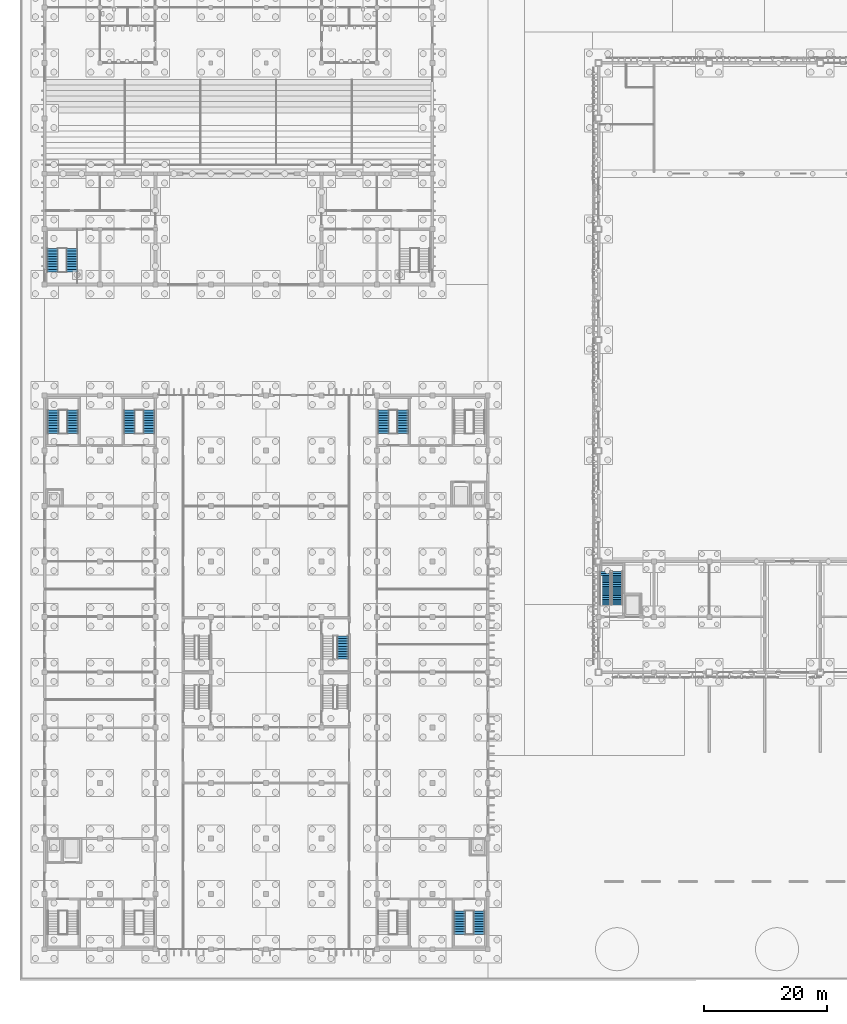
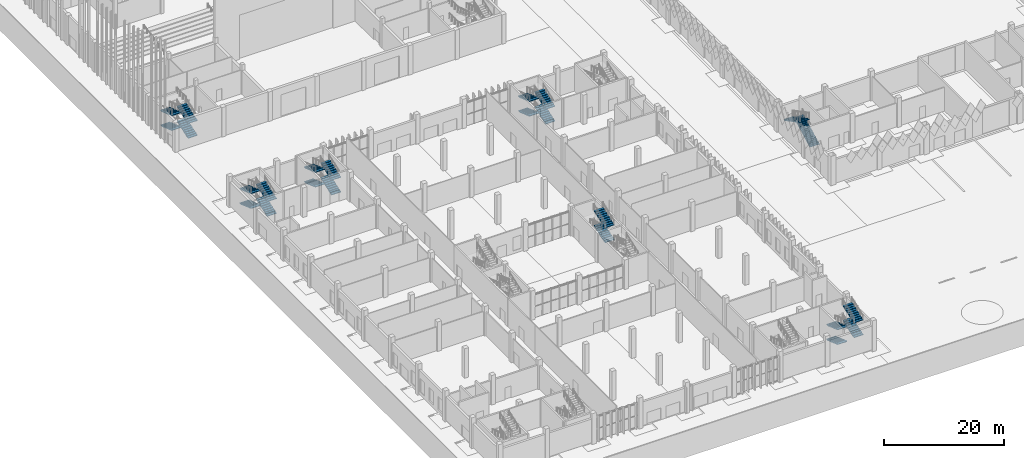
# One storey, part 109 of 198: 24 stair flights, 7 elements without a shape of their own.
"""IFC4 building model written with IfcOpenShell, lengths in metres."""

import ifcopenshell
import ifcopenshell.guid

model = None  # the IFC model being written
_history = None  # IfcOwnerHistory: only IFC2X3 demands one
_inside = {}  # id of a spatial element -> (the spatial element, [elements in it])
_under = {}  # id of a project, library or spatial element -> (it, [spatial elements below it])
_declared = {}  # id of a project -> (the project, [libraries it declares])
_typed = {}  # id of a type object -> (the type object, [elements of that type])
_made_of = {}  # id of a material, layer set ... -> (it, [elements and type objects made of it])


def new_model(schema):
    """Start an empty IFC model of exactly this schema.

    Asked for "IFC4X3", IfcOpenShell would pick the latest addendum, in which some entities
    have other attributes; the version numbers below select the first issue.
    IFC2X3 requires an IfcOwnerHistory on every rooted entity: one is made here for all.
    """
    global model, _history
    if schema == "IFC4X3":
        model = ifcopenshell.file(schema_version=(4, 3, 0, 0))
    else:
        model = ifcopenshell.file(schema=schema)
    _inside.clear()
    _under.clear()
    _declared.clear()
    _typed.clear()
    _made_of.clear()
    _history = None
    if model.schema == "IFC2X3":
        org = make("IfcOrganization", Name="unknown")
        user = make(
            "IfcPersonAndOrganization",
            ThePerson=make("IfcPerson", FamilyName="unknown"),
            TheOrganization=org,
        )
        app = make(
            "IfcApplication",
            ApplicationDeveloper=org,
            Version="unknown",
            ApplicationFullName="unknown",
            ApplicationIdentifier="unknown",
        )
        _history = make(
            "IfcOwnerHistory",
            OwningUser=user,
            OwningApplication=app,
            ChangeAction="ADDED",
            CreationDate=0,
        )
    return model


def make(cls, **values):
    """One entity of the class cls with the attributes given. An attribute that is None is left unset."""
    return model.create_entity(
        cls, **{name: value for name, value in values.items() if value is not None}
    )


def rooted(cls, **values):
    """An entity with a GlobalId (a new one), such as an element, a storey or a relation."""
    return make(cls, GlobalId=ifcopenshell.guid.new(), OwnerHistory=_history, **values)


def si_unit(unit_type, name, prefix=None):
    """IfcSIUnit, for example si_unit("LENGTHUNIT", "METRE", prefix="MILLI")."""
    return make("IfcSIUnit", UnitType=unit_type, Prefix=prefix, Name=name)


def assignment(units):
    """IfcUnitAssignment: the units of a project."""
    return None if units is None else make("IfcUnitAssignment", Units=units)


def point(xyz):
    """IfcCartesianPoint."""
    return None if xyz is None else make("IfcCartesianPoint", Coordinates=xyz)


def direction(xyz):
    """IfcDirection."""
    return None if xyz is None else make("IfcDirection", DirectionRatios=xyz)


def frame(location, z_axis=None, x_axis=None):
    """IfcAxis2Placement3D, a coordinate frame: its origin and axes. An axis left out is left unset."""
    return make(
        "IfcAxis2Placement3D",
        Location=point(location),
        Axis=direction(z_axis),
        RefDirection=direction(x_axis),
    )


def origin():
    """The frame at (0, 0, 0) with its axes left unset."""
    return frame((0.0, 0.0, 0.0))


def place(relative_to, where):
    """IfcLocalPlacement: puts the frame where relative to a parent placement (None: the world)."""
    return make(
        "IfcLocalPlacement", PlacementRelTo=relative_to, RelativePlacement=where
    )


def context(
    kind, dimensions, precision=None, world=None, true_north=None, identifier=None
):
    """IfcGeometricRepresentationContext, for example the 3D "Model" context."""
    return make(
        "IfcGeometricRepresentationContext",
        ContextIdentifier=identifier,
        ContextType=kind,
        CoordinateSpaceDimension=dimensions,
        Precision=precision,
        WorldCoordinateSystem=world,
        TrueNorth=true_north,
    )


def subcontext(parent, identifier, kind, view, scale=None):
    """IfcGeometricRepresentationSubContext, for example "Body" below "Model"."""
    return make(
        "IfcGeometricRepresentationSubContext",
        ContextIdentifier=identifier,
        ContextType=kind,
        ParentContext=parent,
        TargetScale=scale,
        TargetView=view,
    )


def project(units=None, contexts=None):
    """IfcProject with its units and contexts."""
    return rooted(
        "IfcProject",
        Name="project",
        RepresentationContexts=contexts,
        UnitsInContext=assignment(units),
    )


def spatial(cls, under=None, at=None, **own):
    """A site, building, storey or space (cls), placed at a placement, below another one or the project."""
    s = rooted(cls, ObjectPlacement=at, **own)
    if under is not None:
        _under.setdefault(under.id(), (under, []))[1].append(s)
    return s


def polyline(points):
    """IfcPolyline through the points."""
    return make("IfcPolyline", Points=[point(p) for p in points])


def outline(outer, holes=None, kind="AREA"):
    """IfcArbitraryClosedProfileDef: a profile drawn as a closed curve; with holes, ...WithVoids."""
    if holes is None:
        return make("IfcArbitraryClosedProfileDef", ProfileType=kind, OuterCurve=outer)
    return make(
        "IfcArbitraryProfileDefWithVoids",
        ProfileType=kind,
        OuterCurve=outer,
        InnerCurves=holes,
    )


def extrude(swept, where, along, depth):
    """IfcExtrudedAreaSolid: the profile swept, set in the frame where, extruded along a direction by depth."""
    return make(
        "IfcExtrudedAreaSolid",
        SweptArea=swept,
        Position=where,
        ExtrudedDirection=direction(along),
        Depth=depth,
    )


def shape(context_of_items, identifier, shape_type, items):
    """IfcShapeRepresentation: the items that make up one representation, for example the "Body"."""
    return make(
        "IfcShapeRepresentation",
        ContextOfItems=context_of_items,
        RepresentationIdentifier=identifier,
        RepresentationType=shape_type,
        Items=items,
    )


def material(Name=None, Category=None):
    """IfcMaterial."""
    return make("IfcMaterial", Name=Name, Category=Category)


def made_of(thing, what):
    """Note that an element or type object is made of a material, layer set ...; save() writes the relation."""
    if what is not None:
        _made_of.setdefault(what.id(), (what, []))[1].append(thing)
    return thing


def type_object(cls, material=None, **own):
    """A type object (cls), such as IfcWallType, which elements share."""
    return made_of(rooted(cls, **own), material)


def element(
    cls,
    number,
    at=None,
    inside=None,
    cuts=None,
    type_object=None,
    material=None,
    context=None,
    identifier="Body",
    shape_type=None,
    held_by="IfcProductDefinitionShape",
    body=None,
    shapes=None,
    **own,
):
    """One element of the class cls, such as IfcWall. Its Tag is "e" and its number.

    at: its placement. inside: the storey or other place that contains it. cuts: it is an
    opening in that element (IfcRelVoidsElement). A single representation is given by context,
    identifier, shape_type and body (its items); several are given by shapes. held_by: the class
    of the entity that holds the representations. save() writes the other relations.
    """
    e = rooted(cls, Tag="e%d" % number, ObjectPlacement=at, **own)
    if body is not None:
        shapes = [shape(context, identifier, shape_type, body)]
    if shapes is not None:
        e.Representation = make(held_by, Representations=shapes)
    if inside is not None:
        _inside.setdefault(inside.id(), (inside, []))[1].append(e)
    if cuts is not None:
        rooted(
            "IfcRelVoidsElement", RelatingBuildingElement=cuts, RelatedOpeningElement=e
        )
    if type_object is not None:
        _typed.setdefault(type_object.id(), (type_object, []))[1].append(e)
    return made_of(e, material)


def aggregate(whole, parts):
    """IfcRelAggregates: a whole, such as a stair, and the parts it consists of."""
    return rooted("IfcRelAggregates", RelatingObject=whole, RelatedObjects=parts)


def save(model, path):
    """Write the relations noted so far, then the file.

    IfcRelAggregates (storeys below a building ...), IfcRelContainedInSpatialStructure (elements
    in a storey), IfcRelDefinesByType, IfcRelAssociatesMaterial and IfcRelDeclares: one each for
    every whole, place, type object, material and project.
    """
    for whole, parts in _under.values():
        aggregate(whole, parts)
    for where, things in _inside.values():
        rooted(
            "IfcRelContainedInSpatialStructure",
            RelatedElements=things,
            RelatingStructure=where,
        )
    for kind, things in _typed.values():
        rooted("IfcRelDefinesByType", RelatedObjects=things, RelatingType=kind)
    for what, things in _made_of.values():
        rooted("IfcRelAssociatesMaterial", RelatedObjects=things, RelatingMaterial=what)
    for by, libraries in _declared.values():
        rooted("IfcRelDeclares", RelatingContext=by, RelatedDefinitions=libraries)
    model.write(path)


model = new_model("IFC4")

# Units and contexts
model_context = context("Model", 3, precision=1e-05, world=origin(), true_north=direction((0.0, 1.0)))
body_context = subcontext(model_context, "Body", "Model", "MODEL_VIEW")
ifc_project = project(units=[si_unit("LENGTHUNIT", "METRE"), si_unit("AREAUNIT", "SQUARE_METRE"), si_unit("VOLUMEUNIT", "CUBIC_METRE"), si_unit("PLANEANGLEUNIT", "RADIAN"), si_unit("MASSUNIT", "GRAM", prefix="KILO")], contexts=[model_context])

# Site, building, storey
site_placement = place(None, origin())
site = spatial("IfcSite", under=ifc_project, at=site_placement, CompositionType="ELEMENT")
building_placement = place(site_placement, origin())
building = spatial("IfcBuilding", under=site, at=building_placement, Name="Opaline Strait Convention Centre", CompositionType="ELEMENT")
storey_placement = place(building_placement, origin())
storey = spatial("IfcBuildingStorey", under=building, at=storey_placement, Name="L00", CompositionType="ELEMENT", Elevation=0.0)

# Stair, stair flights
ifc_material = material(Name="Concrete C40", Category="concrete")
stair_type_1 = type_object("IfcStairType", Name="Core stair half turn 2400", PredefinedType="HALF_TURN_STAIR", material=ifc_material)
stair_1_placement = place(storey_placement, origin())
stair_1 = element("IfcStair", 1, at=stair_1_placement, inside=storey, type_object=stair_type_1, Name="L00 SW core stair", ObjectType="PST2", PredefinedType="HALF_TURN_STAIR")
stair_flight_type_1 = type_object("IfcStairFlightType", Name="Core stair flight 2400 precast", PredefinedType="STRAIGHT", material=ifc_material)
stair_flight_1_placement = place(storey_placement, frame((13.449951171875, 119.050048828125, 0.0), z_axis=(0.0, 0.0, 1.0), x_axis=(0.0, 1.0, 0.0)))
stair_flight_1 = element("IfcStairFlight", 2, at=stair_flight_1_placement, type_object=stair_flight_type_1, Name="PSR1 flight 1", ObjectType="PSF2", NumberOfRisers=10, NumberOfTreads=9, PredefinedType="STRAIGHT", RiserHeight=0.15, TreadLength=0.42, context=body_context, shape_type="SweptSolid", body=[
    extrude(outline(polyline([(0.0, 0.0), (0.0, 0.14990234375), (0.419921875, 0.14990234375), (0.419921875, 0.300048828125), (0.840087890625, 0.300048828125), (0.840087890625, 0.449951171875), (1.260009765625, 0.449951171875), (1.260009765625, 0.60009765625), (1.679931640625, 0.60009765625), (1.679931640625, 0.75), (2.10009765625, 0.75), (2.10009765625, 0.89990234375), (2.52001953125, 0.89990234375), (2.52001953125, 1.050048828125), (2.93994140625, 1.050048828125), (2.93994140625, 1.199951171875), (3.360107421875, 1.199951171875), (3.360107421875, 1.35009765625), (3.780029296875, 1.35009765625), (3.780029296875, 1.5), (3.780029296875, 1.19091796875), (0.44580078125, 0.0), (0.0, 0.0)])), frame((0.0, 0.89990234375, 0.0), z_axis=(0.0, -1.0, 0.0), x_axis=(1.0, 0.0, 0.0)), (0.0, 0.0, 1.0), 1.800048828125),
])
stair_flight_2_placement = place(storey_placement, frame((10.300048828125, 122.830078125, 1.5), z_axis=(0.0, 0.0, 1.0), x_axis=(0.0, -1.0, 0.0)))
stair_flight_2 = element("IfcStairFlight", 3, at=stair_flight_2_placement, type_object=stair_flight_type_1, Name="PSR1 flight 2", ObjectType="PSF2", NumberOfRisers=10, NumberOfTreads=9, PredefinedType="STRAIGHT", RiserHeight=0.15, TreadLength=0.42, context=body_context, shape_type="SweptSolid", body=[
    extrude(outline(polyline([(0.0, 0.0), (0.0, 0.14990234375), (0.419921875, 0.14990234375), (0.419921875, 0.300048828125), (0.840087890625, 0.300048828125), (0.840087890625, 0.449951171875), (1.260009765625, 0.449951171875), (1.260009765625, 0.60009765625), (1.679931640625, 0.60009765625), (1.679931640625, 0.75), (2.10009765625, 0.75), (2.10009765625, 0.89990234375), (2.52001953125, 0.89990234375), (2.52001953125, 1.050048828125), (2.93994140625, 1.050048828125), (2.93994140625, 1.199951171875), (3.360107421875, 1.199951171875), (3.360107421875, 1.35009765625), (3.780029296875, 1.35009765625), (3.780029296875, 1.5), (3.780029296875, 1.19091796875), (0.44580078125, 0.0), (0.0, 0.0)])), frame((0.0, 0.89990234375, 0.0), z_axis=(0.0, -1.0, 0.0), x_axis=(1.0, 0.0, 0.0)), (0.0, 0.0, 1.0), 1.800048828125),
])
stair_flight_3_placement = place(storey_placement, frame((13.449951171875, 119.050048828125, 3.0), z_axis=(0.0, 0.0, 1.0), x_axis=(0.0, 1.0, 0.0)))
stair_flight_3 = element("IfcStairFlight", 4, at=stair_flight_3_placement, type_object=stair_flight_type_1, Name="PSR1 flight 3", ObjectType="PSF2", NumberOfRisers=10, NumberOfTreads=9, PredefinedType="STRAIGHT", RiserHeight=0.15, TreadLength=0.42, context=body_context, shape_type="SweptSolid", body=[
    extrude(outline(polyline([(0.0, 0.0), (0.0, 0.14990234375), (0.419921875, 0.14990234375), (0.419921875, 0.300048828125), (0.840087890625, 0.300048828125), (0.840087890625, 0.449951171875), (1.260009765625, 0.449951171875), (1.260009765625, 0.60009765625), (1.679931640625, 0.60009765625), (1.679931640625, 0.75), (2.10009765625, 0.75), (2.10009765625, 0.89990234375), (2.52001953125, 0.89990234375), (2.52001953125, 1.050048828125), (2.93994140625, 1.050048828125), (2.93994140625, 1.199951171875), (3.360107421875, 1.199951171875), (3.360107421875, 1.35009765625), (3.780029296875, 1.35009765625), (3.780029296875, 1.5), (3.780029296875, 1.19091796875), (0.44580078125, 0.0), (0.0, 0.0)])), frame((0.0, 0.89990234375, 0.0), z_axis=(0.0, -1.0, 0.0), x_axis=(1.0, 0.0, 0.0)), (0.0, 0.0, 1.0), 1.800048828125),
])
stair_flight_4_placement = place(storey_placement, frame((10.300048828125, 122.830078125, 4.5), z_axis=(0.0, 0.0, 1.0), x_axis=(0.0, -1.0, 0.0)))
stair_flight_4 = element("IfcStairFlight", 5, at=stair_flight_4_placement, type_object=stair_flight_type_1, Name="PSR1 flight 4", ObjectType="PSF2", NumberOfRisers=10, NumberOfTreads=9, PredefinedType="STRAIGHT", RiserHeight=0.15, TreadLength=0.42, context=body_context, shape_type="SweptSolid", body=[
    extrude(outline(polyline([(0.0, 0.0), (0.0, 0.14990234375), (0.419921875, 0.14990234375), (0.419921875, 0.300048828125), (0.840087890625, 0.300048828125), (0.840087890625, 0.449951171875), (1.260009765625, 0.449951171875), (1.260009765625, 0.60009765625), (1.679931640625, 0.60009765625), (1.679931640625, 0.75), (2.10009765625, 0.75), (2.10009765625, 0.89990234375), (2.52001953125, 0.89990234375), (2.52001953125, 1.050048828125), (2.93994140625, 1.050048828125), (2.93994140625, 1.199951171875), (3.360107421875, 1.199951171875), (3.360107421875, 1.35009765625), (3.780029296875, 1.35009765625), (3.780029296875, 1.5), (3.780029296875, 1.19091796875), (0.44580078125, 0.0), (0.0, 0.0)])), frame((0.0, 0.89990234375, 0.0), z_axis=(0.0, -1.0, 0.0), x_axis=(1.0, 0.0, 0.0)), (0.0, 0.0, 1.0), 1.800048828125),
])
aggregate(stair_1, [stair_flight_1, stair_flight_2, stair_flight_3, stair_flight_4])

stair_type_2 = type_object("IfcStairType", Name="Exit stair dogleg 1800", PredefinedType="HALF_TURN_STAIR", material=ifc_material)
stair_2_placement = place(storey_placement, origin())
stair_2 = element("IfcStair", 6, at=stair_2_placement, inside=storey, type_object=stair_type_2, Name="L00 Strip stair 1", ObjectType="XST", PredefinedType="HALF_TURN_STAIR")
stair_flight_type_2 = type_object("IfcStairFlightType", Name="Stair flight 1800 C40", PredefinedType="STRAIGHT", material=ifc_material)
stair_flight_5_placement = place(storey_placement, frame((102.050048828125, 64.949951171875, 0.0), z_axis=(0.0, 0.0, 1.0), x_axis=(0.0, 1.0, 0.0)))
stair_flight_5 = element("IfcStairFlight", 7, at=stair_flight_5_placement, type_object=stair_flight_type_2, Name="XST1 flight 1", ObjectType="RSF1", NumberOfRisers=19, NumberOfTreads=18, PredefinedType="STRAIGHT", RiserHeight=0.157894737, TreadLength=0.3, context=body_context, shape_type="SweptSolid", body=[
    extrude(outline(polyline([(0.0, 0.0), (0.0, 0.157958984375), (0.300048828125, 0.157958984375), (0.300048828125, 0.315673828125), (0.60009765625, 0.315673828125), (0.60009765625, 0.4736328125), (0.89990234375, 0.4736328125), (0.89990234375, 0.631591796875), (1.199951171875, 0.631591796875), (1.199951171875, 0.78955078125), (1.5, 0.78955078125), (1.5, 0.947265625), (1.800048828125, 0.947265625), (1.800048828125, 1.105224609375), (2.10009765625, 1.105224609375), (2.10009765625, 1.26318359375), (2.39990234375, 1.26318359375), (2.39990234375, 1.421142578125), (2.699951171875, 1.421142578125), (2.699951171875, 1.578857421875), (3.0, 1.578857421875), (3.0, 1.73681640625), (3.300048828125, 1.73681640625), (3.300048828125, 1.894775390625), (3.60009765625, 1.894775390625), (3.60009765625, 2.052734375), (3.89990234375, 2.052734375), (3.89990234375, 2.21044921875), (4.199951171875, 2.21044921875), (4.199951171875, 2.368408203125), (4.5, 2.368408203125), (4.5, 2.5263671875), (4.800048828125, 2.5263671875), (4.800048828125, 2.684326171875), (5.10009765625, 2.684326171875), (5.10009765625, 2.842041015625), (5.39990234375, 2.842041015625), (5.39990234375, 3.0), (5.39990234375, 2.672607421875), (0.32177734375, 0.0), (0.0, 0.0)])), frame((0.0, 0.89990234375, 0.0), z_axis=(0.0, -1.0, 0.0), x_axis=(1.0, 0.0, 0.0)), (0.0, 0.0, 1.0), 1.800048828125),
])
stair_flight_6_placement = place(storey_placement, frame((100.10009765625, 70.35009765625, 3.0), z_axis=(0.0, 0.0, 1.0), x_axis=(0.0, -1.0, 0.0)))
stair_flight_6 = element("IfcStairFlight", 8, at=stair_flight_6_placement, type_object=stair_flight_type_2, Name="XST1 flight 2", ObjectType="RSF1", NumberOfRisers=19, NumberOfTreads=18, PredefinedType="STRAIGHT", RiserHeight=0.157894737, TreadLength=0.3, context=body_context, shape_type="SweptSolid", body=[
    extrude(outline(polyline([(0.0, 0.0), (0.0, 0.157958984375), (0.300048828125, 0.157958984375), (0.300048828125, 0.315673828125), (0.60009765625, 0.315673828125), (0.60009765625, 0.4736328125), (0.89990234375, 0.4736328125), (0.89990234375, 0.631591796875), (1.199951171875, 0.631591796875), (1.199951171875, 0.78955078125), (1.5, 0.78955078125), (1.5, 0.947265625), (1.800048828125, 0.947265625), (1.800048828125, 1.105224609375), (2.10009765625, 1.105224609375), (2.10009765625, 1.26318359375), (2.39990234375, 1.26318359375), (2.39990234375, 1.421142578125), (2.699951171875, 1.421142578125), (2.699951171875, 1.578857421875), (3.0, 1.578857421875), (3.0, 1.73681640625), (3.300048828125, 1.73681640625), (3.300048828125, 1.894775390625), (3.60009765625, 1.894775390625), (3.60009765625, 2.052734375), (3.89990234375, 2.052734375), (3.89990234375, 2.21044921875), (4.199951171875, 2.21044921875), (4.199951171875, 2.368408203125), (4.5, 2.368408203125), (4.5, 2.5263671875), (4.800048828125, 2.5263671875), (4.800048828125, 2.684326171875), (5.10009765625, 2.684326171875), (5.10009765625, 2.842041015625), (5.39990234375, 2.842041015625), (5.39990234375, 3.0), (5.39990234375, 2.672607421875), (0.32177734375, 0.0), (0.0, 0.0)])), frame((0.0, 0.89990234375, 0.0), z_axis=(0.0, -1.0, 0.0), x_axis=(1.0, 0.0, 0.0)), (0.0, 0.0, 1.0), 1.800048828125),
])
aggregate(stair_2, [stair_flight_5, stair_flight_6])

stair_type_3 = type_object("IfcStairType", Name="Exit stair two flights 1800 C40", PredefinedType="HALF_TURN_STAIR", material=ifc_material)
stair_3_placement = place(storey_placement, origin())
stair_3 = element("IfcStair", 9, at=stair_3_placement, inside=storey, type_object=stair_type_3, Name="L00 SEA", ObjectType="RST1", PredefinedType="HALF_TURN_STAIR")
stair_flight_7_placement = place(storey_placement, frame((76.449951171875, 15.199951171875, 0.0), z_axis=(0.0, 0.0, 1.0), x_axis=(0.0, -1.0, 0.0)))
stair_flight_7 = element("IfcStairFlight", 10, at=stair_flight_7_placement, type_object=stair_flight_type_2, Name="SEA flight 1", ObjectType="RSF1", NumberOfRisers=10, NumberOfTreads=9, PredefinedType="STRAIGHT", RiserHeight=0.15, TreadLength=0.42, context=body_context, shape_type="SweptSolid", body=[
    extrude(outline(polyline([(0.0, 0.0), (0.0, 0.14990234375), (0.419921875, 0.14990234375), (0.419921875, 0.300048828125), (0.840087890625, 0.300048828125), (0.840087890625, 0.449951171875), (1.260009765625, 0.449951171875), (1.260009765625, 0.60009765625), (1.679931640625, 0.60009765625), (1.679931640625, 0.75), (2.10009765625, 0.75), (2.10009765625, 0.89990234375), (2.52001953125, 0.89990234375), (2.52001953125, 1.050048828125), (2.93994140625, 1.050048828125), (2.93994140625, 1.199951171875), (3.360107421875, 1.199951171875), (3.360107421875, 1.35009765625), (3.780029296875, 1.35009765625), (3.780029296875, 1.5), (3.780029296875, 1.19091796875), (0.44580078125, 0.0), (0.0, 0.0)])), frame((0.0, 0.89990234375, 0.0), z_axis=(0.0, -1.0, 0.0), x_axis=(1.0, 0.0, 0.0)), (0.0, 0.0, 1.0), 1.800048828125),
])
stair_flight_8_placement = place(storey_placement, frame((79.60009765625, 11.419921875, 1.5), z_axis=(0.0, 0.0, 1.0), x_axis=(0.0, 1.0, 0.0)))
stair_flight_8 = element("IfcStairFlight", 11, at=stair_flight_8_placement, type_object=stair_flight_type_2, Name="SEA flight 2", ObjectType="RSF1", NumberOfRisers=10, NumberOfTreads=9, PredefinedType="STRAIGHT", RiserHeight=0.15, TreadLength=0.42, context=body_context, shape_type="SweptSolid", body=[
    extrude(outline(polyline([(0.0, 0.0), (0.0, 0.14990234375), (0.419921875, 0.14990234375), (0.419921875, 0.300048828125), (0.840087890625, 0.300048828125), (0.840087890625, 0.449951171875), (1.260009765625, 0.449951171875), (1.260009765625, 0.60009765625), (1.679931640625, 0.60009765625), (1.679931640625, 0.75), (2.10009765625, 0.75), (2.10009765625, 0.89990234375), (2.52001953125, 0.89990234375), (2.52001953125, 1.050048828125), (2.93994140625, 1.050048828125), (2.93994140625, 1.199951171875), (3.360107421875, 1.199951171875), (3.360107421875, 1.35009765625), (3.780029296875, 1.35009765625), (3.780029296875, 1.5), (3.780029296875, 1.19091796875), (0.44580078125, 0.0), (0.0, 0.0)])), frame((0.0, 0.89990234375, 0.0), z_axis=(0.0, -1.0, 0.0), x_axis=(1.0, 0.0, 0.0)), (0.0, 0.0, 1.0), 1.800048828125),
])
stair_flight_9_placement = place(storey_placement, frame((76.449951171875, 15.199951171875, 3.0), z_axis=(0.0, 0.0, 1.0), x_axis=(0.0, -1.0, 0.0)))
stair_flight_9 = element("IfcStairFlight", 12, at=stair_flight_9_placement, type_object=stair_flight_type_2, Name="SEA flight 3", ObjectType="RSF1", NumberOfRisers=10, NumberOfTreads=9, PredefinedType="STRAIGHT", RiserHeight=0.15, TreadLength=0.42, context=body_context, shape_type="SweptSolid", body=[
    extrude(outline(polyline([(0.0, 0.0), (0.0, 0.14990234375), (0.419921875, 0.14990234375), (0.419921875, 0.300048828125), (0.840087890625, 0.300048828125), (0.840087890625, 0.449951171875), (1.260009765625, 0.449951171875), (1.260009765625, 0.60009765625), (1.679931640625, 0.60009765625), (1.679931640625, 0.75), (2.10009765625, 0.75), (2.10009765625, 0.89990234375), (2.52001953125, 0.89990234375), (2.52001953125, 1.050048828125), (2.93994140625, 1.050048828125), (2.93994140625, 1.199951171875), (3.360107421875, 1.199951171875), (3.360107421875, 1.35009765625), (3.780029296875, 1.35009765625), (3.780029296875, 1.5), (3.780029296875, 1.19091796875), (0.44580078125, 0.0), (0.0, 0.0)])), frame((0.0, 0.89990234375, 0.0), z_axis=(0.0, -1.0, 0.0), x_axis=(1.0, 0.0, 0.0)), (0.0, 0.0, 1.0), 1.800048828125),
])
stair_flight_10_placement = place(storey_placement, frame((79.60009765625, 11.419921875, 4.5), z_axis=(0.0, 0.0, 1.0), x_axis=(0.0, 1.0, 0.0)))
stair_flight_10 = element("IfcStairFlight", 13, at=stair_flight_10_placement, type_object=stair_flight_type_2, Name="SEA flight 4", ObjectType="RSF1", NumberOfRisers=10, NumberOfTreads=9, PredefinedType="STRAIGHT", RiserHeight=0.15, TreadLength=0.42, context=body_context, shape_type="SweptSolid", body=[
    extrude(outline(polyline([(0.0, 0.0), (0.0, 0.14990234375), (0.419921875, 0.14990234375), (0.419921875, 0.300048828125), (0.840087890625, 0.300048828125), (0.840087890625, 0.449951171875), (1.260009765625, 0.449951171875), (1.260009765625, 0.60009765625), (1.679931640625, 0.60009765625), (1.679931640625, 0.75), (2.10009765625, 0.75), (2.10009765625, 0.89990234375), (2.52001953125, 0.89990234375), (2.52001953125, 1.050048828125), (2.93994140625, 1.050048828125), (2.93994140625, 1.199951171875), (3.360107421875, 1.199951171875), (3.360107421875, 1.35009765625), (3.780029296875, 1.35009765625), (3.780029296875, 1.5), (3.780029296875, 1.19091796875), (0.44580078125, 0.0), (0.0, 0.0)])), frame((0.0, 0.89990234375, 0.0), z_axis=(0.0, -1.0, 0.0), x_axis=(1.0, 0.0, 0.0)), (0.0, 0.0, 1.0), 1.800048828125),
])
aggregate(stair_3, [stair_flight_7, stair_flight_8, stair_flight_9, stair_flight_10])

stair_4_placement = place(storey_placement, origin())
stair_4 = element("IfcStair", 14, at=stair_4_placement, inside=storey, type_object=stair_type_3, Name="L00 NWA", ObjectType="RST1", PredefinedType="HALF_TURN_STAIR")
stair_flight_11_placement = place(storey_placement, frame((13.550048828125, 92.800048828125, 0.0), z_axis=(0.0, 0.0, 1.0), x_axis=(0.0, 1.0, 0.0)))
stair_flight_11 = element("IfcStairFlight", 15, at=stair_flight_11_placement, type_object=stair_flight_type_2, Name="NWA flight 1", ObjectType="RSF1", NumberOfRisers=10, NumberOfTreads=9, PredefinedType="STRAIGHT", RiserHeight=0.15, TreadLength=0.42, context=body_context, shape_type="SweptSolid", body=[
    extrude(outline(polyline([(0.0, 0.0), (0.0, 0.14990234375), (0.419921875, 0.14990234375), (0.419921875, 0.300048828125), (0.840087890625, 0.300048828125), (0.840087890625, 0.449951171875), (1.260009765625, 0.449951171875), (1.260009765625, 0.60009765625), (1.679931640625, 0.60009765625), (1.679931640625, 0.75), (2.10009765625, 0.75), (2.10009765625, 0.89990234375), (2.52001953125, 0.89990234375), (2.52001953125, 1.050048828125), (2.93994140625, 1.050048828125), (2.93994140625, 1.199951171875), (3.360107421875, 1.199951171875), (3.360107421875, 1.35009765625), (3.780029296875, 1.35009765625), (3.780029296875, 1.5), (3.780029296875, 1.19091796875), (0.44580078125, 0.0), (0.0, 0.0)])), frame((0.0, 0.89990234375, 0.0), z_axis=(0.0, -1.0, 0.0), x_axis=(1.0, 0.0, 0.0)), (0.0, 0.0, 1.0), 1.800048828125),
])
stair_flight_12_placement = place(storey_placement, frame((10.39990234375, 96.580078125, 1.5), z_axis=(0.0, 0.0, 1.0), x_axis=(0.0, -1.0, 0.0)))
stair_flight_12 = element("IfcStairFlight", 16, at=stair_flight_12_placement, type_object=stair_flight_type_2, Name="NWA flight 2", ObjectType="RSF1", NumberOfRisers=10, NumberOfTreads=9, PredefinedType="STRAIGHT", RiserHeight=0.15, TreadLength=0.42, context=body_context, shape_type="SweptSolid", body=[
    extrude(outline(polyline([(0.0, 0.0), (0.0, 0.14990234375), (0.419921875, 0.14990234375), (0.419921875, 0.300048828125), (0.840087890625, 0.300048828125), (0.840087890625, 0.449951171875), (1.260009765625, 0.449951171875), (1.260009765625, 0.60009765625), (1.679931640625, 0.60009765625), (1.679931640625, 0.75), (2.10009765625, 0.75), (2.10009765625, 0.89990234375), (2.52001953125, 0.89990234375), (2.52001953125, 1.050048828125), (2.93994140625, 1.050048828125), (2.93994140625, 1.199951171875), (3.360107421875, 1.199951171875), (3.360107421875, 1.35009765625), (3.780029296875, 1.35009765625), (3.780029296875, 1.5), (3.780029296875, 1.19091796875), (0.44580078125, 0.0), (0.0, 0.0)])), frame((0.0, 0.89990234375, 0.0), z_axis=(0.0, -1.0, 0.0), x_axis=(1.0, 0.0, 0.0)), (0.0, 0.0, 1.0), 1.800048828125),
])
stair_flight_13_placement = place(storey_placement, frame((13.550048828125, 92.800048828125, 3.0), z_axis=(0.0, 0.0, 1.0), x_axis=(0.0, 1.0, 0.0)))
stair_flight_13 = element("IfcStairFlight", 17, at=stair_flight_13_placement, type_object=stair_flight_type_2, Name="NWA flight 3", ObjectType="RSF1", NumberOfRisers=10, NumberOfTreads=9, PredefinedType="STRAIGHT", RiserHeight=0.15, TreadLength=0.42, context=body_context, shape_type="SweptSolid", body=[
    extrude(outline(polyline([(0.0, 0.0), (0.0, 0.14990234375), (0.419921875, 0.14990234375), (0.419921875, 0.300048828125), (0.840087890625, 0.300048828125), (0.840087890625, 0.449951171875), (1.260009765625, 0.449951171875), (1.260009765625, 0.60009765625), (1.679931640625, 0.60009765625), (1.679931640625, 0.75), (2.10009765625, 0.75), (2.10009765625, 0.89990234375), (2.52001953125, 0.89990234375), (2.52001953125, 1.050048828125), (2.93994140625, 1.050048828125), (2.93994140625, 1.199951171875), (3.360107421875, 1.199951171875), (3.360107421875, 1.35009765625), (3.780029296875, 1.35009765625), (3.780029296875, 1.5), (3.780029296875, 1.19091796875), (0.44580078125, 0.0), (0.0, 0.0)])), frame((0.0, 0.89990234375, 0.0), z_axis=(0.0, -1.0, 0.0), x_axis=(1.0, 0.0, 0.0)), (0.0, 0.0, 1.0), 1.800048828125),
])
stair_flight_14_placement = place(storey_placement, frame((10.39990234375, 96.580078125, 4.5), z_axis=(0.0, 0.0, 1.0), x_axis=(0.0, -1.0, 0.0)))
stair_flight_14 = element("IfcStairFlight", 18, at=stair_flight_14_placement, type_object=stair_flight_type_2, Name="NWA flight 4", ObjectType="RSF1", NumberOfRisers=10, NumberOfTreads=9, PredefinedType="STRAIGHT", RiserHeight=0.15, TreadLength=0.42, context=body_context, shape_type="SweptSolid", body=[
    extrude(outline(polyline([(0.0, 0.0), (0.0, 0.14990234375), (0.419921875, 0.14990234375), (0.419921875, 0.300048828125), (0.840087890625, 0.300048828125), (0.840087890625, 0.449951171875), (1.260009765625, 0.449951171875), (1.260009765625, 0.60009765625), (1.679931640625, 0.60009765625), (1.679931640625, 0.75), (2.10009765625, 0.75), (2.10009765625, 0.89990234375), (2.52001953125, 0.89990234375), (2.52001953125, 1.050048828125), (2.93994140625, 1.050048828125), (2.93994140625, 1.199951171875), (3.360107421875, 1.199951171875), (3.360107421875, 1.35009765625), (3.780029296875, 1.35009765625), (3.780029296875, 1.5), (3.780029296875, 1.19091796875), (0.44580078125, 0.0), (0.0, 0.0)])), frame((0.0, 0.89990234375, 0.0), z_axis=(0.0, -1.0, 0.0), x_axis=(1.0, 0.0, 0.0)), (0.0, 0.0, 1.0), 1.800048828125),
])
aggregate(stair_4, [stair_flight_11, stair_flight_12, stair_flight_13, stair_flight_14])

stair_5_placement = place(storey_placement, origin())
stair_5 = element("IfcStair", 19, at=stair_5_placement, inside=storey, type_object=stair_type_3, Name="L00 NWB", ObjectType="RST1", PredefinedType="HALF_TURN_STAIR")
stair_flight_15_placement = place(storey_placement, frame((25.949951171875, 92.800048828125, 0.0), z_axis=(0.0, 0.0, 1.0), x_axis=(0.0, 1.0, 0.0)))
stair_flight_15 = element("IfcStairFlight", 20, at=stair_flight_15_placement, type_object=stair_flight_type_2, Name="NWB flight 1", ObjectType="RSF1", NumberOfRisers=10, NumberOfTreads=9, PredefinedType="STRAIGHT", RiserHeight=0.15, TreadLength=0.42, context=body_context, shape_type="SweptSolid", body=[
    extrude(outline(polyline([(0.0, 0.0), (0.0, 0.14990234375), (0.419921875, 0.14990234375), (0.419921875, 0.300048828125), (0.840087890625, 0.300048828125), (0.840087890625, 0.449951171875), (1.260009765625, 0.449951171875), (1.260009765625, 0.60009765625), (1.679931640625, 0.60009765625), (1.679931640625, 0.75), (2.10009765625, 0.75), (2.10009765625, 0.89990234375), (2.52001953125, 0.89990234375), (2.52001953125, 1.050048828125), (2.93994140625, 1.050048828125), (2.93994140625, 1.199951171875), (3.360107421875, 1.199951171875), (3.360107421875, 1.35009765625), (3.780029296875, 1.35009765625), (3.780029296875, 1.5), (3.780029296875, 1.19091796875), (0.44580078125, 0.0), (0.0, 0.0)])), frame((0.0, 0.89990234375, 0.0), z_axis=(0.0, -1.0, 0.0), x_axis=(1.0, 0.0, 0.0)), (0.0, 0.0, 1.0), 1.800048828125),
])
stair_flight_16_placement = place(storey_placement, frame((22.800048828125, 96.580078125, 1.5), z_axis=(0.0, 0.0, 1.0), x_axis=(0.0, -1.0, 0.0)))
stair_flight_16 = element("IfcStairFlight", 21, at=stair_flight_16_placement, type_object=stair_flight_type_2, Name="NWB flight 2", ObjectType="RSF1", NumberOfRisers=10, NumberOfTreads=9, PredefinedType="STRAIGHT", RiserHeight=0.15, TreadLength=0.42, context=body_context, shape_type="SweptSolid", body=[
    extrude(outline(polyline([(0.0, 0.0), (0.0, 0.14990234375), (0.419921875, 0.14990234375), (0.419921875, 0.300048828125), (0.840087890625, 0.300048828125), (0.840087890625, 0.449951171875), (1.260009765625, 0.449951171875), (1.260009765625, 0.60009765625), (1.679931640625, 0.60009765625), (1.679931640625, 0.75), (2.10009765625, 0.75), (2.10009765625, 0.89990234375), (2.52001953125, 0.89990234375), (2.52001953125, 1.050048828125), (2.93994140625, 1.050048828125), (2.93994140625, 1.199951171875), (3.360107421875, 1.199951171875), (3.360107421875, 1.35009765625), (3.780029296875, 1.35009765625), (3.780029296875, 1.5), (3.780029296875, 1.19091796875), (0.44580078125, 0.0), (0.0, 0.0)])), frame((0.0, 0.89990234375, 0.0), z_axis=(0.0, -1.0, 0.0), x_axis=(1.0, 0.0, 0.0)), (0.0, 0.0, 1.0), 1.800048828125),
])
stair_flight_17_placement = place(storey_placement, frame((25.949951171875, 92.800048828125, 3.0), z_axis=(0.0, 0.0, 1.0), x_axis=(0.0, 1.0, 0.0)))
stair_flight_17 = element("IfcStairFlight", 22, at=stair_flight_17_placement, type_object=stair_flight_type_2, Name="NWB flight 3", ObjectType="RSF1", NumberOfRisers=10, NumberOfTreads=9, PredefinedType="STRAIGHT", RiserHeight=0.15, TreadLength=0.42, context=body_context, shape_type="SweptSolid", body=[
    extrude(outline(polyline([(0.0, 0.0), (0.0, 0.14990234375), (0.419921875, 0.14990234375), (0.419921875, 0.300048828125), (0.840087890625, 0.300048828125), (0.840087890625, 0.449951171875), (1.260009765625, 0.449951171875), (1.260009765625, 0.60009765625), (1.679931640625, 0.60009765625), (1.679931640625, 0.75), (2.10009765625, 0.75), (2.10009765625, 0.89990234375), (2.52001953125, 0.89990234375), (2.52001953125, 1.050048828125), (2.93994140625, 1.050048828125), (2.93994140625, 1.199951171875), (3.360107421875, 1.199951171875), (3.360107421875, 1.35009765625), (3.780029296875, 1.35009765625), (3.780029296875, 1.5), (3.780029296875, 1.19091796875), (0.44580078125, 0.0), (0.0, 0.0)])), frame((0.0, 0.89990234375, 0.0), z_axis=(0.0, -1.0, 0.0), x_axis=(1.0, 0.0, 0.0)), (0.0, 0.0, 1.0), 1.800048828125),
])
stair_flight_18_placement = place(storey_placement, frame((22.800048828125, 96.580078125, 4.5), z_axis=(0.0, 0.0, 1.0), x_axis=(0.0, -1.0, 0.0)))
stair_flight_18 = element("IfcStairFlight", 23, at=stair_flight_18_placement, type_object=stair_flight_type_2, Name="NWB flight 4", ObjectType="RSF1", NumberOfRisers=10, NumberOfTreads=9, PredefinedType="STRAIGHT", RiserHeight=0.15, TreadLength=0.42, context=body_context, shape_type="SweptSolid", body=[
    extrude(outline(polyline([(0.0, 0.0), (0.0, 0.14990234375), (0.419921875, 0.14990234375), (0.419921875, 0.300048828125), (0.840087890625, 0.300048828125), (0.840087890625, 0.449951171875), (1.260009765625, 0.449951171875), (1.260009765625, 0.60009765625), (1.679931640625, 0.60009765625), (1.679931640625, 0.75), (2.10009765625, 0.75), (2.10009765625, 0.89990234375), (2.52001953125, 0.89990234375), (2.52001953125, 1.050048828125), (2.93994140625, 1.050048828125), (2.93994140625, 1.199951171875), (3.360107421875, 1.199951171875), (3.360107421875, 1.35009765625), (3.780029296875, 1.35009765625), (3.780029296875, 1.5), (3.780029296875, 1.19091796875), (0.44580078125, 0.0), (0.0, 0.0)])), frame((0.0, 0.89990234375, 0.0), z_axis=(0.0, -1.0, 0.0), x_axis=(1.0, 0.0, 0.0)), (0.0, 0.0, 1.0), 1.800048828125),
])
aggregate(stair_5, [stair_flight_15, stair_flight_16, stair_flight_17, stair_flight_18])

stair_6_placement = place(storey_placement, origin())
stair_6 = element("IfcStair", 24, at=stair_6_placement, inside=storey, type_object=stair_type_3, Name="L00 NEB", ObjectType="RST1", PredefinedType="HALF_TURN_STAIR")
stair_flight_19_placement = place(storey_placement, frame((67.199951171875, 92.800048828125, 0.0), z_axis=(0.0, 0.0, 1.0), x_axis=(0.0, 1.0, 0.0)))
stair_flight_19 = element("IfcStairFlight", 25, at=stair_flight_19_placement, type_object=stair_flight_type_2, Name="NEB flight 1", ObjectType="RSF1", NumberOfRisers=10, NumberOfTreads=9, PredefinedType="STRAIGHT", RiserHeight=0.15, TreadLength=0.42, context=body_context, shape_type="SweptSolid", body=[
    extrude(outline(polyline([(0.0, 0.0), (0.0, 0.14990234375), (0.419921875, 0.14990234375), (0.419921875, 0.300048828125), (0.840087890625, 0.300048828125), (0.840087890625, 0.449951171875), (1.260009765625, 0.449951171875), (1.260009765625, 0.60009765625), (1.679931640625, 0.60009765625), (1.679931640625, 0.75), (2.10009765625, 0.75), (2.10009765625, 0.89990234375), (2.52001953125, 0.89990234375), (2.52001953125, 1.050048828125), (2.93994140625, 1.050048828125), (2.93994140625, 1.199951171875), (3.360107421875, 1.199951171875), (3.360107421875, 1.35009765625), (3.780029296875, 1.35009765625), (3.780029296875, 1.5), (3.780029296875, 1.19091796875), (0.44580078125, 0.0), (0.0, 0.0)])), frame((0.0, 0.89990234375, 0.0), z_axis=(0.0, -1.0, 0.0), x_axis=(1.0, 0.0, 0.0)), (0.0, 0.0, 1.0), 1.800048828125),
])
stair_flight_20_placement = place(storey_placement, frame((64.050048828125, 96.580078125, 1.5), z_axis=(0.0, 0.0, 1.0), x_axis=(0.0, -1.0, 0.0)))
stair_flight_20 = element("IfcStairFlight", 26, at=stair_flight_20_placement, type_object=stair_flight_type_2, Name="NEB flight 2", ObjectType="RSF1", NumberOfRisers=10, NumberOfTreads=9, PredefinedType="STRAIGHT", RiserHeight=0.15, TreadLength=0.42, context=body_context, shape_type="SweptSolid", body=[
    extrude(outline(polyline([(0.0, 0.0), (0.0, 0.14990234375), (0.419921875, 0.14990234375), (0.419921875, 0.300048828125), (0.840087890625, 0.300048828125), (0.840087890625, 0.449951171875), (1.260009765625, 0.449951171875), (1.260009765625, 0.60009765625), (1.679931640625, 0.60009765625), (1.679931640625, 0.75), (2.10009765625, 0.75), (2.10009765625, 0.89990234375), (2.52001953125, 0.89990234375), (2.52001953125, 1.050048828125), (2.93994140625, 1.050048828125), (2.93994140625, 1.199951171875), (3.360107421875, 1.199951171875), (3.360107421875, 1.35009765625), (3.780029296875, 1.35009765625), (3.780029296875, 1.5), (3.780029296875, 1.19091796875), (0.44580078125, 0.0), (0.0, 0.0)])), frame((0.0, 0.89990234375, 0.0), z_axis=(0.0, -1.0, 0.0), x_axis=(1.0, 0.0, 0.0)), (0.0, 0.0, 1.0), 1.800048828125),
])
stair_flight_21_placement = place(storey_placement, frame((67.199951171875, 92.800048828125, 3.0), z_axis=(0.0, 0.0, 1.0), x_axis=(0.0, 1.0, 0.0)))
stair_flight_21 = element("IfcStairFlight", 27, at=stair_flight_21_placement, type_object=stair_flight_type_2, Name="NEB flight 3", ObjectType="RSF1", NumberOfRisers=10, NumberOfTreads=9, PredefinedType="STRAIGHT", RiserHeight=0.15, TreadLength=0.42, context=body_context, shape_type="SweptSolid", body=[
    extrude(outline(polyline([(0.0, 0.0), (0.0, 0.14990234375), (0.419921875, 0.14990234375), (0.419921875, 0.300048828125), (0.840087890625, 0.300048828125), (0.840087890625, 0.449951171875), (1.260009765625, 0.449951171875), (1.260009765625, 0.60009765625), (1.679931640625, 0.60009765625), (1.679931640625, 0.75), (2.10009765625, 0.75), (2.10009765625, 0.89990234375), (2.52001953125, 0.89990234375), (2.52001953125, 1.050048828125), (2.93994140625, 1.050048828125), (2.93994140625, 1.199951171875), (3.360107421875, 1.199951171875), (3.360107421875, 1.35009765625), (3.780029296875, 1.35009765625), (3.780029296875, 1.5), (3.780029296875, 1.19091796875), (0.44580078125, 0.0), (0.0, 0.0)])), frame((0.0, 0.89990234375, 0.0), z_axis=(0.0, -1.0, 0.0), x_axis=(1.0, 0.0, 0.0)), (0.0, 0.0, 1.0), 1.800048828125),
])
stair_flight_22_placement = place(storey_placement, frame((64.050048828125, 96.580078125, 4.5), z_axis=(0.0, 0.0, 1.0), x_axis=(0.0, -1.0, 0.0)))
stair_flight_22 = element("IfcStairFlight", 28, at=stair_flight_22_placement, type_object=stair_flight_type_2, Name="NEB flight 4", ObjectType="RSF1", NumberOfRisers=10, NumberOfTreads=9, PredefinedType="STRAIGHT", RiserHeight=0.15, TreadLength=0.42, context=body_context, shape_type="SweptSolid", body=[
    extrude(outline(polyline([(0.0, 0.0), (0.0, 0.14990234375), (0.419921875, 0.14990234375), (0.419921875, 0.300048828125), (0.840087890625, 0.300048828125), (0.840087890625, 0.449951171875), (1.260009765625, 0.449951171875), (1.260009765625, 0.60009765625), (1.679931640625, 0.60009765625), (1.679931640625, 0.75), (2.10009765625, 0.75), (2.10009765625, 0.89990234375), (2.52001953125, 0.89990234375), (2.52001953125, 1.050048828125), (2.93994140625, 1.050048828125), (2.93994140625, 1.199951171875), (3.360107421875, 1.199951171875), (3.360107421875, 1.35009765625), (3.780029296875, 1.35009765625), (3.780029296875, 1.5), (3.780029296875, 1.19091796875), (0.44580078125, 0.0), (0.0, 0.0)])), frame((0.0, 0.89990234375, 0.0), z_axis=(0.0, -1.0, 0.0), x_axis=(1.0, 0.0, 0.0)), (0.0, 0.0, 1.0), 1.800048828125),
])
aggregate(stair_6, [stair_flight_19, stair_flight_20, stair_flight_21, stair_flight_22])

stair_7_placement = place(storey_placement, origin())
stair_7 = element("IfcStair", 29, at=stair_7_placement, inside=storey, type_object=stair_type_3, Name="L00 ME2", ObjectType="RST1", PredefinedType="HALF_TURN_STAIR")
stair_flight_23_placement = place(storey_placement, frame((57.449951171875, 56.1201171875, 1.5), z_axis=(0.0, 0.0, 1.0), x_axis=(0.0, 1.0, 0.0)))
stair_flight_23 = element("IfcStairFlight", 30, at=stair_flight_23_placement, type_object=stair_flight_type_2, Name="ME2 flight 2", ObjectType="RSF1", NumberOfRisers=10, NumberOfTreads=9, PredefinedType="STRAIGHT", RiserHeight=0.15, TreadLength=0.42, context=body_context, shape_type="SweptSolid", body=[
    extrude(outline(polyline([(0.0, 0.0), (0.0, 0.14990234375), (0.419921875, 0.14990234375), (0.419921875, 0.300048828125), (0.840087890625, 0.300048828125), (0.840087890625, 0.449951171875), (1.260009765625, 0.449951171875), (1.260009765625, 0.60009765625), (1.679931640625, 0.60009765625), (1.679931640625, 0.75), (2.10009765625, 0.75), (2.10009765625, 0.89990234375), (2.52001953125, 0.89990234375), (2.52001953125, 1.050048828125), (2.93994140625, 1.050048828125), (2.93994140625, 1.199951171875), (3.360107421875, 1.199951171875), (3.360107421875, 1.35009765625), (3.780029296875, 1.35009765625), (3.780029296875, 1.5), (3.780029296875, 1.19091796875), (0.44580078125, 0.0), (0.0, 0.0)])), frame((0.0, 0.89990234375, 0.0), z_axis=(0.0, -1.0, 0.0), x_axis=(1.0, 0.0, 0.0)), (0.0, 0.0, 1.0), 1.800048828125),
])
stair_flight_24_placement = place(storey_placement, frame((57.449951171875, 56.1201171875, 4.5), z_axis=(0.0, 0.0, 1.0), x_axis=(0.0, 1.0, 0.0)))
stair_flight_24 = element("IfcStairFlight", 31, at=stair_flight_24_placement, type_object=stair_flight_type_2, Name="ME2 flight 4", ObjectType="RSF1", NumberOfRisers=10, NumberOfTreads=9, PredefinedType="STRAIGHT", RiserHeight=0.15, TreadLength=0.42, context=body_context, shape_type="SweptSolid", body=[
    extrude(outline(polyline([(0.0, 0.0), (0.0, 0.14990234375), (0.419921875, 0.14990234375), (0.419921875, 0.300048828125), (0.840087890625, 0.300048828125), (0.840087890625, 0.449951171875), (1.260009765625, 0.449951171875), (1.260009765625, 0.60009765625), (1.679931640625, 0.60009765625), (1.679931640625, 0.75), (2.10009765625, 0.75), (2.10009765625, 0.89990234375), (2.52001953125, 0.89990234375), (2.52001953125, 1.050048828125), (2.93994140625, 1.050048828125), (2.93994140625, 1.199951171875), (3.360107421875, 1.199951171875), (3.360107421875, 1.35009765625), (3.780029296875, 1.35009765625), (3.780029296875, 1.5), (3.780029296875, 1.19091796875), (0.44580078125, 0.0), (0.0, 0.0)])), frame((0.0, 0.89990234375, 0.0), z_axis=(0.0, -1.0, 0.0), x_axis=(1.0, 0.0, 0.0)), (0.0, 0.0, 1.0), 1.800048828125),
])
aggregate(stair_7, [stair_flight_23, stair_flight_24])

save(model, "model.ifc")
